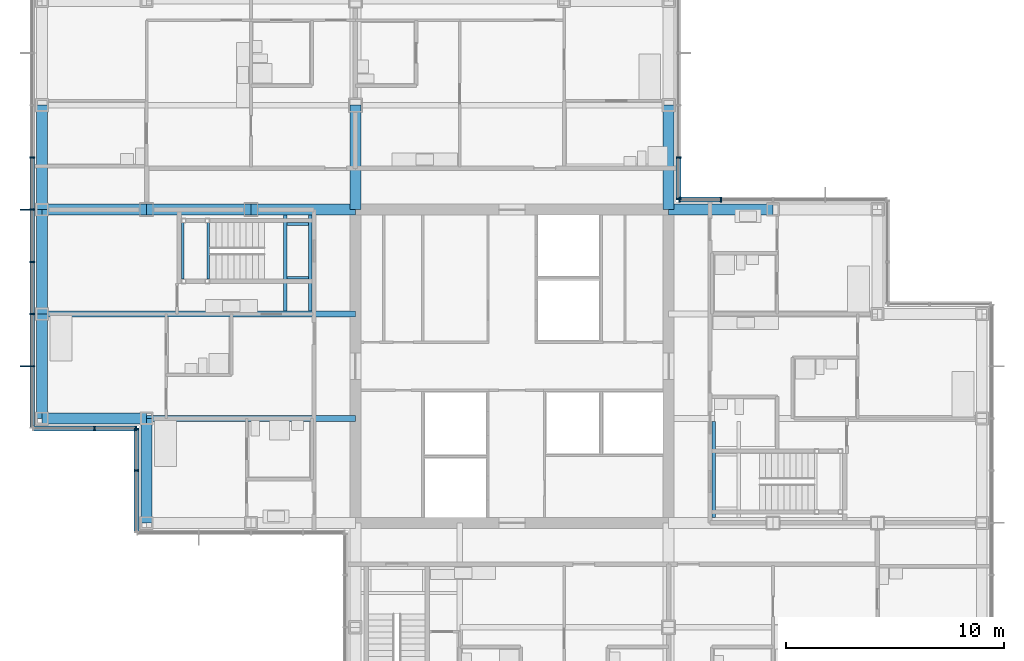
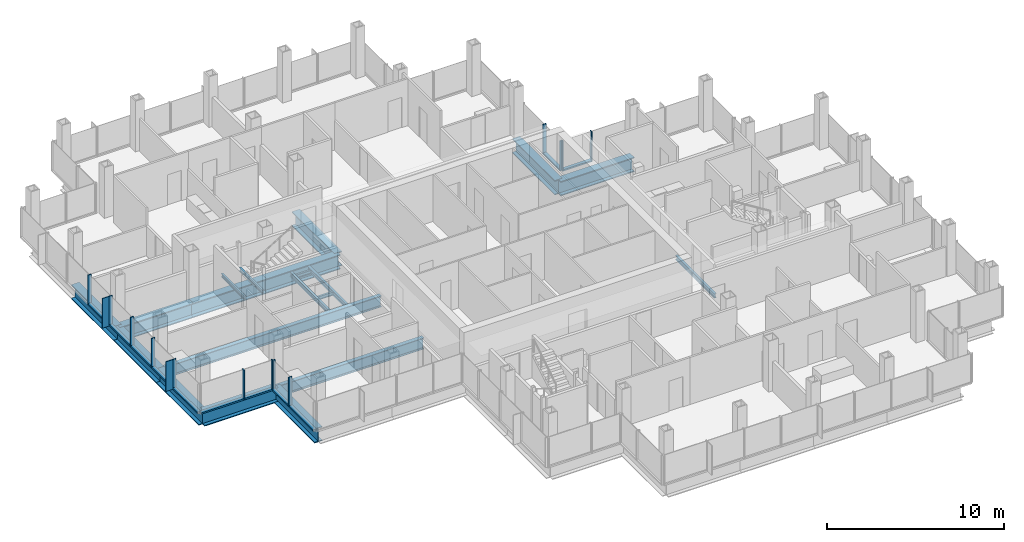
# One storey, part 7 of 20: 26 members, 20 beams, 5 elements without a shape of their own.
"""IFC4 building model written with IfcOpenShell, lengths in metres."""

from ifc_helpers import new_model, si_unit, direction, frame, origin, origin_2d, place, context, subcontext, project, spatial, rectangle, i_section, extrude, material, material_profile, profile_set, type_object, element, aggregate, save


model = new_model("IFC4")

# Units and contexts
model_context = context("Model", 3, precision=1e-05, world=origin(), true_north=direction((0.0, 1.0)))
body_context = subcontext(model_context, "Body", "Model", "MODEL_VIEW")
ifc_project = project(units=[si_unit("LENGTHUNIT", "METRE"), si_unit("AREAUNIT", "SQUARE_METRE"), si_unit("VOLUMEUNIT", "CUBIC_METRE"), si_unit("PLANEANGLEUNIT", "RADIAN"), si_unit("MASSUNIT", "GRAM", prefix="KILO")], contexts=[model_context])

# Site, building, storey
site_placement = place(None, origin())
site = spatial("IfcSite", under=ifc_project, at=site_placement, CompositionType="ELEMENT")
building_placement = place(site_placement, origin())
building = spatial("IfcBuilding", under=site, at=building_placement, Name="Kvirike Care Tower", CompositionType="ELEMENT")
storey_placement = place(building_placement, frame((0.0, 0.0, 133.0)))
storey = spatial("IfcBuildingStorey", under=building, at=storey_placement, Name="L36", CompositionType="ELEMENT", Elevation=133.0)

# Curtain wall, members
ifc_material_1 = material(Name="Anodised aluminium stick system", Category="aluminium")
curtain_wall_type = type_object("IfcCurtainWallType", Name="CW-B STICK CURTAIN WALL", PredefinedType="NOTDEFINED", material=ifc_material_1)
curtain_wall_1_placement = place(storey_placement, origin())
curtain_wall_1 = element("IfcCurtainWall", 1, at=curtain_wall_1_placement, inside=storey, type_object=curtain_wall_type, Name="Curtain wall L36 face 11", PredefinedType="NOTDEFINED")
ifc_material_2 = material(Name="Bronze anodised aluminium fin", Category="aluminium")
ifc_material_profile_1 = material_profile(ifc_material_2, rectangle(XDim=0.050048828125, YDim=0.449951171875, at=origin_2d()), Name="BRONZE FIN 450")
ifc_profile_set_1 = profile_set([ifc_material_profile_1], Name="Bronze anodised aluminium fin")
member_type_1 = type_object("IfcMemberType", Name="BRONZE FIN 450", PredefinedType="USERDEFINED", material=ifc_profile_set_1)
member_1_placement = place(storey_placement, frame((-0.794921875, 43.199951171875, 0.0), z_axis=(0.0, 0.0, 1.0), x_axis=(0.0, -1.0, 0.0)))
member_1 = element("IfcMember", 2, at=member_1_placement, type_object=member_type_1, Name="Bronze fin L36 face 11.5", ObjectType="FIN", PredefinedType="USERDEFINED", context=body_context, shape_type="SweptSolid", body=[
    extrude(rectangle(XDim=0.050048828125, YDim=0.449951171875, at=origin_2d()), origin(), (0.0, 0.0, 1.0), 2.050048828125),
])
member_2_placement = place(storey_placement, frame((-0.794921875, 36.0, 0.0), z_axis=(0.0, 0.0, 1.0), x_axis=(0.0, -1.0, 0.0)))
member_2 = element("IfcMember", 3, at=member_2_placement, type_object=member_type_1, Name="Bronze fin L36 face 11.8", ObjectType="FIN", PredefinedType="USERDEFINED", context=body_context, shape_type="SweptSolid", body=[
    extrude(rectangle(XDim=0.050048828125, YDim=0.449951171875, at=origin_2d()), origin(), (0.0, 0.0, 1.0), 2.050048828125),
])

curtain_wall_2_placement = place(storey_placement, origin())
curtain_wall_2 = element("IfcCurtainWall", 4, at=curtain_wall_2_placement, inside=storey, type_object=curtain_wall_type, Name="Curtain wall L36 face 4", PredefinedType="NOTDEFINED")
ifc_material_3 = material(Name="Bronze anodised aluminium mullion", Category="aluminium")
ifc_material_profile_2 = material_profile(ifc_material_3, rectangle(XDim=0.06494140625, YDim=0.219970703125, at=origin_2d()), Name="CW-B MULLION 65x220")
ifc_profile_set_2 = profile_set([ifc_material_profile_2], Name="Bronze anodised aluminium mullion")
member_type_2 = type_object("IfcMemberType", Name="CW-B MULLION 65x220", PredefinedType="MULLION", material=ifc_profile_set_2)
member_3_placement = place(storey_placement, frame((31.199951171875, 43.659912109375, 0.0), z_axis=(0.0, 0.0, 1.0), x_axis=(-1.0, 0.0, 0.0)))
member_3 = element("IfcMember", 5, at=member_3_placement, type_object=member_type_2, Name="CW-B mullion L36 face 4.4", PredefinedType="MULLION", context=body_context, shape_type="SweptSolid", body=[
    extrude(rectangle(XDim=0.06494140625, YDim=0.219970703125, at=origin_2d()), origin(), (0.0, 0.0, 1.0), 2.050048828125),
])
member_4_placement = place(storey_placement, frame((29.29248046875, 43.659912109375, 0.0), z_axis=(0.0, 0.0, 1.0), x_axis=(-1.0, 0.0, 0.0)))
member_4 = element("IfcMember", 6, at=member_4_placement, type_object=member_type_2, Name="CW-B mullion L36 face 4.5", PredefinedType="MULLION", context=body_context, shape_type="SweptSolid", body=[
    extrude(rectangle(XDim=0.06494140625, YDim=0.219970703125, at=origin_2d()), origin(), (0.0, 0.0, 1.0), 2.050048828125),
])

curtain_wall_3_placement = place(storey_placement, origin())
curtain_wall_3 = element("IfcCurtainWall", 7, at=curtain_wall_3_placement, inside=storey, type_object=curtain_wall_type, Name="Curtain wall L36 face 5", PredefinedType="NOTDEFINED")
member_5_placement = place(storey_placement, frame((29.260009765625, 43.6923828125, 0.0), z_axis=(0.0, 0.0, 1.0), x_axis=(0.0, 1.0, 0.0)))
member_5 = element("IfcMember", 8, at=member_5_placement, type_object=member_type_2, Name="CW-B mullion L36 face 5.1", PredefinedType="MULLION", context=body_context, shape_type="SweptSolid", body=[
    extrude(rectangle(XDim=0.06494140625, YDim=0.219970703125, at=origin_2d()), origin(), (0.0, 0.0, 1.0), 2.050048828125),
])
member_6_placement = place(storey_placement, frame((29.260009765625, 45.60009765625, 0.0), z_axis=(0.0, 0.0, 1.0), x_axis=(0.0, 1.0, 0.0)))
member_6 = element("IfcMember", 9, at=member_6_placement, type_object=member_type_2, Name="CW-B mullion L36 face 5.2", PredefinedType="MULLION", context=body_context, shape_type="SweptSolid", body=[
    extrude(rectangle(XDim=0.06494140625, YDim=0.219970703125, at=origin_2d()), origin(), (0.0, 0.0, 1.0), 2.050048828125),
])

# Member
member_7_placement = place(storey_placement, frame((-0.4599609375, 45.60009765625, 0.0), z_axis=(0.0, 0.0, 1.0), x_axis=(0.0, -1.0, 0.0)))
member_7 = element("IfcMember", 10, at=member_7_placement, type_object=member_type_2, Name="CW-B mullion L36 face 11.4", PredefinedType="MULLION", context=body_context, shape_type="SweptSolid", body=[
    extrude(rectangle(XDim=0.06494140625, YDim=0.219970703125, at=origin_2d()), origin(), (0.0, 0.0, 1.0), 2.050048828125),
])

member_8_placement = place(storey_placement, frame((-0.4599609375, 43.199951171875, 0.0), z_axis=(0.0, 0.0, 1.0), x_axis=(0.0, -1.0, 0.0)))
member_8 = element("IfcMember", 11, at=member_8_placement, type_object=member_type_2, Name="CW-B mullion L36 face 11.5", PredefinedType="MULLION", context=body_context, shape_type="SweptSolid", body=[
    extrude(rectangle(XDim=0.06494140625, YDim=0.219970703125, at=origin_2d()), origin(), (0.0, 0.0, 1.0), 2.050048828125),
])

member_9_placement = place(storey_placement, frame((-0.4599609375, 40.800048828125, 0.0), z_axis=(0.0, 0.0, 1.0), x_axis=(0.0, -1.0, 0.0)))
member_9 = element("IfcMember", 12, at=member_9_placement, type_object=member_type_2, Name="CW-B mullion L36 face 11.6", PredefinedType="MULLION", context=body_context, shape_type="SweptSolid", body=[
    extrude(rectangle(XDim=0.06494140625, YDim=0.219970703125, at=origin_2d()), origin(), (0.0, 0.0, 1.0), 2.050048828125),
])

member_10_placement = place(storey_placement, frame((-0.4599609375, 38.39990234375, 0.0), z_axis=(0.0, 0.0, 1.0), x_axis=(0.0, -1.0, 0.0)))
member_10 = element("IfcMember", 13, at=member_10_placement, type_object=member_type_2, Name="CW-B mullion L36 face 11.7", PredefinedType="MULLION", context=body_context, shape_type="SweptSolid", body=[
    extrude(rectangle(XDim=0.06494140625, YDim=0.219970703125, at=origin_2d()), origin(), (0.0, 0.0, 1.0), 2.050048828125),
])

member_11_placement = place(storey_placement, frame((-0.4599609375, 36.0, 0.0), z_axis=(0.0, 0.0, 1.0), x_axis=(0.0, -1.0, 0.0)))
member_11 = element("IfcMember", 14, at=member_11_placement, type_object=member_type_2, Name="CW-B mullion L36 face 11.8", PredefinedType="MULLION", context=body_context, shape_type="SweptSolid", body=[
    extrude(rectangle(XDim=0.06494140625, YDim=0.219970703125, at=origin_2d()), origin(), (0.0, 0.0, 1.0), 2.050048828125),
])

# Curtain wall, members
curtain_wall_4_placement = place(storey_placement, origin())
curtain_wall_4 = element("IfcCurtainWall", 15, at=curtain_wall_4_placement, inside=storey, type_object=curtain_wall_type, Name="Curtain wall L36 face 12", PredefinedType="NOTDEFINED")
member_12_placement = place(storey_placement, frame((2.39990234375, 33.139892578125, 0.0), z_axis=(0.0, 0.0, 1.0), x_axis=(1.0, 0.0, 0.0)))
member_12 = element("IfcMember", 16, at=member_12_placement, type_object=member_type_2, Name="CW-B mullion L36 face 12.2", PredefinedType="MULLION", context=body_context, shape_type="SweptSolid", body=[
    extrude(rectangle(XDim=0.06494140625, YDim=0.219970703125, at=origin_2d()), origin(), (0.0, 0.0, 1.0), 2.050048828125),
])
member_13_placement = place(storey_placement, frame((4.3076171875, 33.139892578125, 0.0), z_axis=(0.0, 0.0, 1.0), x_axis=(1.0, 0.0, 0.0)))
member_13 = element("IfcMember", 17, at=member_13_placement, type_object=member_type_2, Name="CW-B mullion L36 face 12.3", PredefinedType="MULLION", context=body_context, shape_type="SweptSolid", body=[
    extrude(rectangle(XDim=0.06494140625, YDim=0.219970703125, at=origin_2d()), origin(), (0.0, 0.0, 1.0), 2.050048828125),
])

curtain_wall_5_placement = place(storey_placement, origin())
curtain_wall_5 = element("IfcCurtainWall", 18, at=curtain_wall_5_placement, inside=storey, type_object=curtain_wall_type, Name="Curtain wall L36 face 13", PredefinedType="NOTDEFINED")
member_14_placement = place(storey_placement, frame((4.340087890625, 33.107421875, 0.0), z_axis=(0.0, 0.0, 1.0), x_axis=(0.0, -1.0, 0.0)))
member_14 = element("IfcMember", 19, at=member_14_placement, type_object=member_type_2, Name="CW-B mullion L36 face 13.1", PredefinedType="MULLION", context=body_context, shape_type="SweptSolid", body=[
    extrude(rectangle(XDim=0.06494140625, YDim=0.219970703125, at=origin_2d()), origin(), (0.0, 0.0, 1.0), 2.050048828125),
])
member_15_placement = place(storey_placement, frame((4.340087890625, 31.199951171875, 0.0), z_axis=(0.0, 0.0, 1.0), x_axis=(0.0, -1.0, 0.0)))
member_15 = element("IfcMember", 20, at=member_15_placement, type_object=member_type_2, Name="CW-B mullion L36 face 13.2", PredefinedType="MULLION", context=body_context, shape_type="SweptSolid", body=[
    extrude(rectangle(XDim=0.06494140625, YDim=0.219970703125, at=origin_2d()), origin(), (0.0, 0.0, 1.0), 2.050048828125),
])

# Member
ifc_material_4 = material(Name="Bronze anodised aluminium transom", Category="aluminium")
ifc_material_profile_3 = material_profile(ifc_material_4, rectangle(XDim=0.219970703125, YDim=0.10009765625, at=origin_2d()), Name="CW-B TRANSOM 220x100")
ifc_profile_set_3 = profile_set([ifc_material_profile_3], Name="Bronze anodised aluminium transom")
member_type_3 = type_object("IfcMemberType", Name="CW-B TRANSOM 220x100", PredefinedType="USERDEFINED", material=ifc_profile_set_3)
member_16_placement = place(storey_placement, frame((31.16748046875, 43.659912109375, 0.050048828125), z_axis=(-1.0, 0.0, 0.0), x_axis=(0.0, -1.0, 0.0)))
member_16 = element("IfcMember", 21, at=member_16_placement, type_object=member_type_3, Name="CW-B sill transom L36 face 4.4", ObjectType="TRANSOM", PredefinedType="USERDEFINED", context=body_context, shape_type="SweptSolid", body=[
    extrude(rectangle(XDim=0.219970703125, YDim=0.10009765625, at=origin_2d()), origin(), (0.0, 0.0, 1.0), 1.842529296875),
])

aggregate(curtain_wall_2, [member_3, member_4, member_16])

member_17_placement = place(storey_placement, frame((29.260009765625, 43.72509765625, 0.050048828125), z_axis=(0.0, 1.0, 0.0), x_axis=(-1.0, 0.0, 0.0)))
member_17 = element("IfcMember", 22, at=member_17_placement, type_object=member_type_3, Name="CW-B sill transom L36 face 5.1", ObjectType="TRANSOM", PredefinedType="USERDEFINED", context=body_context, shape_type="SweptSolid", body=[
    extrude(rectangle(XDim=0.219970703125, YDim=0.10009765625, at=origin_2d()), origin(), (0.0, 0.0, 1.0), 1.84228515625),
])

aggregate(curtain_wall_3, [member_5, member_6, member_17])

member_18_placement = place(storey_placement, frame((-0.4599609375, 45.5673828125, 0.050048828125), z_axis=(0.0, -1.0, 0.0), x_axis=(1.0, 0.0, 0.0)))
member_18 = element("IfcMember", 23, at=member_18_placement, type_object=member_type_3, Name="CW-B sill transom L36 face 11.4", ObjectType="TRANSOM", PredefinedType="USERDEFINED", context=body_context, shape_type="SweptSolid", body=[
    extrude(rectangle(XDim=0.219970703125, YDim=0.10009765625, at=origin_2d()), origin(), (0.0, 0.0, 1.0), 2.3349609375),
])

member_19_placement = place(storey_placement, frame((-0.4599609375, 43.16748046875, 0.050048828125), z_axis=(0.0, -1.0, 0.0), x_axis=(1.0, 0.0, 0.0)))
member_19 = element("IfcMember", 24, at=member_19_placement, type_object=member_type_3, Name="CW-B sill transom L36 face 11.5", ObjectType="TRANSOM", PredefinedType="USERDEFINED", context=body_context, shape_type="SweptSolid", body=[
    extrude(rectangle(XDim=0.219970703125, YDim=0.10009765625, at=origin_2d()), origin(), (0.0, 0.0, 1.0), 2.3349609375),
])

member_20_placement = place(storey_placement, frame((-0.4599609375, 40.767578125, 0.050048828125), z_axis=(0.0, -1.0, 0.0), x_axis=(1.0, 0.0, 0.0)))
member_20 = element("IfcMember", 25, at=member_20_placement, type_object=member_type_3, Name="CW-B sill transom L36 face 11.6", ObjectType="TRANSOM", PredefinedType="USERDEFINED", context=body_context, shape_type="SweptSolid", body=[
    extrude(rectangle(XDim=0.219970703125, YDim=0.10009765625, at=origin_2d()), origin(), (0.0, 0.0, 1.0), 2.3349609375),
])

member_21_placement = place(storey_placement, frame((-0.4599609375, 38.367431640625, 0.050048828125), z_axis=(0.0, -1.0, 0.0), x_axis=(1.0, 0.0, 0.0)))
member_21 = element("IfcMember", 26, at=member_21_placement, type_object=member_type_3, Name="CW-B sill transom L36 face 11.7", ObjectType="TRANSOM", PredefinedType="USERDEFINED", context=body_context, shape_type="SweptSolid", body=[
    extrude(rectangle(XDim=0.219970703125, YDim=0.10009765625, at=origin_2d()), origin(), (0.0, 0.0, 1.0), 2.3349609375),
])

member_22_placement = place(storey_placement, frame((-0.4599609375, 35.967529296875, 0.050048828125), z_axis=(0.0, -1.0, 0.0), x_axis=(1.0, 0.0, 0.0)))
member_22 = element("IfcMember", 27, at=member_22_placement, type_object=member_type_3, Name="CW-B sill transom L36 face 11.8", ObjectType="TRANSOM", PredefinedType="USERDEFINED", context=body_context, shape_type="SweptSolid", body=[
    extrude(rectangle(XDim=0.219970703125, YDim=0.10009765625, at=origin_2d()), origin(), (0.0, 0.0, 1.0), 2.762451171875),
])

aggregate(curtain_wall_1, [member_7, member_8, member_1, member_9, member_10, member_11, member_2, member_18, member_19, member_20, member_21, member_22])

member_23_placement = place(storey_placement, frame((-0.39501953125, 33.139892578125, 0.050048828125), z_axis=(1.0, 0.0, 0.0), x_axis=(0.0, 1.0, 0.0)))
member_23 = element("IfcMember", 28, at=member_23_placement, type_object=member_type_3, Name="CW-B sill transom L36 face 12.1", ObjectType="TRANSOM", PredefinedType="USERDEFINED", context=body_context, shape_type="SweptSolid", body=[
    extrude(rectangle(XDim=0.219970703125, YDim=0.10009765625, at=origin_2d()), origin(), (0.0, 0.0, 1.0), 2.762451171875),
])

member_24_placement = place(storey_placement, frame((2.4326171875, 33.139892578125, 0.050048828125), z_axis=(1.0, 0.0, 0.0), x_axis=(0.0, 1.0, 0.0)))
member_24 = element("IfcMember", 29, at=member_24_placement, type_object=member_type_3, Name="CW-B sill transom L36 face 12.2", ObjectType="TRANSOM", PredefinedType="USERDEFINED", context=body_context, shape_type="SweptSolid", body=[
    extrude(rectangle(XDim=0.219970703125, YDim=0.10009765625, at=origin_2d()), origin(), (0.0, 0.0, 1.0), 1.84228515625),
])

aggregate(curtain_wall_4, [member_12, member_13, member_23, member_24])

member_25_placement = place(storey_placement, frame((4.340087890625, 33.074951171875, 0.050048828125), z_axis=(0.0, -1.0, 0.0), x_axis=(1.0, 0.0, 0.0)))
member_25 = element("IfcMember", 30, at=member_25_placement, type_object=member_type_3, Name="CW-B sill transom L36 face 13.1", ObjectType="TRANSOM", PredefinedType="USERDEFINED", context=body_context, shape_type="SweptSolid", body=[
    extrude(rectangle(XDim=0.219970703125, YDim=0.10009765625, at=origin_2d()), origin(), (0.0, 0.0, 1.0), 1.842529296875),
])

member_26_placement = place(storey_placement, frame((4.340087890625, 31.16748046875, 0.050048828125), z_axis=(0.0, -1.0, 0.0), x_axis=(1.0, 0.0, 0.0)))
member_26 = element("IfcMember", 31, at=member_26_placement, type_object=member_type_3, Name="CW-B sill transom L36 face 13.2", ObjectType="TRANSOM", PredefinedType="USERDEFINED", context=body_context, shape_type="SweptSolid", body=[
    extrude(rectangle(XDim=0.219970703125, YDim=0.10009765625, at=origin_2d()), origin(), (0.0, 0.0, 1.0), 2.762451171875),
])

aggregate(curtain_wall_5, [member_14, member_15, member_25, member_26])

# Beams
ifc_material_5 = material(Name="Steel S355", Category="steel")
ifc_material_profile_4 = material_profile(ifc_material_5, i_section(OverallWidth=0.26806640625, OverallDepth=0.77001953125, WebThickness=0.015625, FlangeThickness=0.025390625, FilletRadius=0.01708984375, at=origin_2d()), Name="IPE 750x196")
ifc_profile_set_4 = profile_set([ifc_material_profile_4], Name="Steel S355")
beam_type_1 = type_object("IfcBeamType", Name="FLOOR BEAM IPE 750x196", PredefinedType="BEAM", material=ifc_profile_set_4)
beam_1_placement = place(storey_placement, frame((4.800048828125, 33.60009765625, -0.554931640625), z_axis=(1.0, 0.0, 0.0), x_axis=(0.0, 1.0, 0.0)))
element("IfcBeam", 32, at=beam_1_placement, inside=storey, type_object=beam_type_1, Name="Floor Beam H4-H6 L36", PredefinedType="BEAM", context=body_context, shape_type="SweptSolid", body=[
    extrude(i_section(OverallWidth=0.26806640625, OverallDepth=0.77001953125, WebThickness=0.015625, FlangeThickness=0.025390625, FilletRadius=0.01708984375, at=origin_2d()), origin(), (0.0, 0.0, 1.0), 9.599853515625),
])
beam_2_placement = place(storey_placement, frame((0.0, 38.39990234375, -0.554931640625), z_axis=(1.0, 0.0, 0.0), x_axis=(0.0, 1.0, 0.0)))
element("IfcBeam", 33, at=beam_2_placement, inside=storey, type_object=beam_type_1, Name="Floor Beam J3-J6 L36", PredefinedType="BEAM", context=body_context, shape_type="SweptSolid", body=[
    extrude(i_section(OverallWidth=0.26806640625, OverallDepth=0.77001953125, WebThickness=0.015625, FlangeThickness=0.025390625, FilletRadius=0.01708984375, at=origin_2d()), origin(), (0.0, 0.0, 1.0), 14.39990234375),
])
ifc_material_6 = material(Name="Steel S355", Category="steel")
ifc_material_profile_5 = material_profile(ifc_material_6, i_section(OverallWidth=0.5, OverallDepth=1.0, WebThickness=0.030029296875, FlangeThickness=0.06005859375, at=origin_2d()), Name="PG 1000x500x30x60")
ifc_profile_set_5 = profile_set([ifc_material_profile_5], Name="Steel S355")
beam_type_2 = type_object("IfcBeamType", Name="FRAME BEAM PG 1000x500x30x60", PredefinedType="BEAM", material=ifc_profile_set_5)
for number, where, z_axis, x_axis, name in (
    (34, (0.0, 43.199951171875, -0.669921875), (1.0, 0.0, 0.0), (0.0, 1.0, 0.0), "Frame Beam K3-K4 L36"),
    (35, (4.800048828125, 43.199951171875, -0.669921875), (1.0, 0.0, 0.0), (0.0, 1.0, 0.0), "Frame Beam K4-K5 L36"),
):
    element("IfcBeam", number, at=place(storey_placement, frame(where, z_axis=z_axis, x_axis=x_axis)), inside=storey, type_object=beam_type_2, Name=name, PredefinedType="BEAM", context=body_context, shape_type="SweptSolid", body=[
        extrude(i_section(OverallWidth=0.5, OverallDepth=1.0, WebThickness=0.030029296875, FlangeThickness=0.06005859375, at=origin_2d()), origin(), (0.0, 0.0, 1.0), 4.800048828125),
    ])
beam_3_placement = place(storey_placement, frame((9.60009765625, 43.199951171875, -0.669921875), z_axis=(1.0, 0.0, 0.0), x_axis=(0.0, 1.0, 0.0)))
element("IfcBeam", 36, at=beam_3_placement, inside=storey, type_object=beam_type_2, Name="Frame Beam K5-K6 L36", PredefinedType="BEAM", context=body_context, shape_type="SweptSolid", body=[
    extrude(i_section(OverallWidth=0.5, OverallDepth=1.0, WebThickness=0.030029296875, FlangeThickness=0.06005859375, at=origin_2d()), origin(), (0.0, 0.0, 1.0), 4.7998046875),
])
beam_4_placement = place(storey_placement, frame((14.39990234375, 43.199951171875, -0.669921875), z_axis=(0.0, 1.0, 0.0), x_axis=(-1.0, 0.0, 0.0)))
element("IfcBeam", 37, at=beam_4_placement, inside=storey, type_object=beam_type_2, Name="Frame Beam K6-L6 L36", PredefinedType="BEAM", context=body_context, shape_type="SweptSolid", body=[
    extrude(i_section(OverallWidth=0.5, OverallDepth=1.0, WebThickness=0.030029296875, FlangeThickness=0.06005859375, at=origin_2d()), origin(), (0.0, 0.0, 1.0), 4.800048828125),
])
ifc_material_7 = material(Name="Steel S355", Category="steel")
ifc_material_profile_6 = material_profile(ifc_material_7, i_section(OverallWidth=0.5, OverallDepth=1.0, WebThickness=0.030029296875, FlangeThickness=0.06005859375, at=origin_2d()), Name="PG 1000x500x30x60")
ifc_profile_set_6 = profile_set([ifc_material_profile_6], Name="Steel S355")
beam_type_3 = type_object("IfcBeamType", Name="SPANDREL PG 1000x500x30x60", PredefinedType="SPANDREL", material=ifc_profile_set_6)
for number, where, z_axis, x_axis, name in (
    (38, (0.0, 33.60009765625, -0.669921875), (1.0, 0.0, 0.0), (0.0, 1.0, 0.0), "Spandrel H3-H4 L36"),
    (39, (28.800048828125, 43.199951171875, -0.669921875), (1.0, 0.0, 0.0), (0.0, 1.0, 0.0), "Spandrel K9-K10 L36"),
):
    element("IfcBeam", number, at=place(storey_placement, frame(where, z_axis=z_axis, x_axis=x_axis)), inside=storey, type_object=beam_type_3, Name=name, PredefinedType="SPANDREL", context=body_context, shape_type="SweptSolid", body=[
        extrude(i_section(OverallWidth=0.5, OverallDepth=1.0, WebThickness=0.030029296875, FlangeThickness=0.06005859375, at=origin_2d()), origin(), (0.0, 0.0, 1.0), 4.800048828125),
    ])
beam_5_placement = place(storey_placement, frame((0.0, 33.60009765625, -0.669921875), z_axis=(0.0, 1.0, 0.0), x_axis=(-1.0, 0.0, 0.0)))
element("IfcBeam", 40, at=beam_5_placement, inside=storey, type_object=beam_type_3, Name="Spandrel H3-J3 L36", PredefinedType="SPANDREL", context=body_context, shape_type="SweptSolid", body=[
    extrude(i_section(OverallWidth=0.5, OverallDepth=1.0, WebThickness=0.030029296875, FlangeThickness=0.06005859375, at=origin_2d()), origin(), (0.0, 0.0, 1.0), 4.7998046875),
])
for number, where, z_axis, x_axis, name in (
    (41, (0.0, 38.39990234375, -0.669921875), (0.0, 1.0, 0.0), (-1.0, 0.0, 0.0), "Spandrel J3-K3 L36"),
    (42, (0.0, 43.199951171875, -0.669921875), (0.0, 1.0, 0.0), (-1.0, 0.0, 0.0), "Spandrel K3-L3 L36"),
    (43, (4.800048828125, 28.800048828125, -0.669921875), (0.0, 1.0, 0.0), (-1.0, 0.0, 0.0), "Spandrel G4-H4 L36"),
    (44, (28.800048828125, 43.199951171875, -0.669921875), (0.0, 1.0, 0.0), (-1.0, 0.0, 0.0), "Spandrel K9-L9 L36"),
):
    element("IfcBeam", number, at=place(storey_placement, frame(where, z_axis=z_axis, x_axis=x_axis)), inside=storey, type_object=beam_type_3, Name=name, PredefinedType="SPANDREL", context=body_context, shape_type="SweptSolid", body=[
        extrude(i_section(OverallWidth=0.5, OverallDepth=1.0, WebThickness=0.030029296875, FlangeThickness=0.06005859375, at=origin_2d()), origin(), (0.0, 0.0, 1.0), 4.800048828125),
    ])
ifc_material_8 = material(Name="Steel S355", Category="steel")
ifc_material_profile_7 = material_profile(ifc_material_8, i_section(OverallWidth=0.1201171875, OverallDepth=0.239990234375, WebThickness=0.006103515625, FlangeThickness=0.009765625, FilletRadius=0.014892578125, at=origin_2d()), Name="IPE 240")
ifc_profile_set_7 = profile_set([ifc_material_profile_7], Name="Steel S355")
beam_type_4 = type_object("IfcBeamType", Name="STAIR LANDING BEAM IPE 240", PredefinedType="BEAM", material=ifc_profile_set_7)
for number, where, z_axis, x_axis, name in (
    (45, (6.4599609375, 42.60009765625, 1.429931640625), (0.0, -1.0, 0.0), (1.0, 0.0, 0.0), "Stair 1 landing beam back L36"),
    (46, (7.639892578125, 42.60009765625, 1.429931640625), (0.0, -1.0, 0.0), (1.0, 0.0, 0.0), "Stair 1 landing beam front L36"),
):
    element("IfcBeam", number, at=place(storey_placement, frame(where, z_axis=z_axis, x_axis=x_axis)), inside=storey, type_object=beam_type_4, Name=name, PredefinedType="BEAM", context=body_context, shape_type="SweptSolid", body=[
        extrude(i_section(OverallWidth=0.1201171875, OverallDepth=0.239990234375, WebThickness=0.006103515625, FlangeThickness=0.009765625, FilletRadius=0.014892578125, at=origin_2d()), origin(), (0.0, 0.0, 1.0), 2.60009765625),
    ])
for number, where, z_axis, x_axis, name in (
    (47, (11.25, 42.5400390625, -0.320068359375), (1.0, 0.0, 0.0), (0.0, 1.0, 0.0), "Stair 1 landing edge beam 1 L36"),
    (48, (11.25, 40.06005859375, -0.320068359375), (1.0, 0.0, 0.0), (0.0, 1.0, 0.0), "Stair 1 landing edge beam 2 L36"),
):
    element("IfcBeam", number, at=place(storey_placement, frame(where, z_axis=z_axis, x_axis=x_axis)), inside=storey, type_object=beam_type_4, Name=name, PredefinedType="BEAM", context=body_context, shape_type="SweptSolid", body=[
        extrude(i_section(OverallWidth=0.1201171875, OverallDepth=0.239990234375, WebThickness=0.006103515625, FlangeThickness=0.009765625, FilletRadius=0.014892578125, at=origin_2d()), origin(), (0.0, 0.0, 1.0), 1.0),
    ])
ifc_material_9 = material(Name="Steel S355", Category="steel")
ifc_material_profile_8 = material_profile(ifc_material_9, i_section(OverallWidth=0.14990234375, OverallDepth=0.300048828125, WebThickness=0.007080078125, FlangeThickness=0.0107421875, FilletRadius=0.014892578125, at=origin_2d()), Name="IPE 300")
ifc_profile_set_8 = profile_set([ifc_material_profile_8], Name="Steel S355")
beam_type_5 = type_object("IfcBeamType", Name="STAIR TRIMMER IPE 300", PredefinedType="BEAM", material=ifc_profile_set_8)
for number, where, z_axis, x_axis, name in (
    (49, (11.175048828125, 42.949951171875, -0.35009765625), (0.0, -1.0, 0.0), (1.0, 0.0, 0.0), "Stair 1 trimmer 1 L36"),
    (50, (12.324951171875, 42.949951171875, -0.35009765625), (0.0, -1.0, 0.0), (1.0, 0.0, 0.0), "Stair 1 trimmer 2 L36"),
    (51, (30.875, 29.050048828125, -0.35009765625), (0.0, 1.0, 0.0), (-1.0, 0.0, 0.0), "Stair 2 trimmer 2 L36"),
):
    element("IfcBeam", number, at=place(storey_placement, frame(where, z_axis=z_axis, x_axis=x_axis)), inside=storey, type_object=beam_type_5, Name=name, PredefinedType="BEAM", context=body_context, shape_type="SweptSolid", body=[
        extrude(i_section(OverallWidth=0.14990234375, OverallDepth=0.300048828125, WebThickness=0.007080078125, FlangeThickness=0.0107421875, FilletRadius=0.014892578125, at=origin_2d()), origin(), (0.0, 0.0, 1.0), 4.416015625),
    ])

save(model, "model.ifc")
